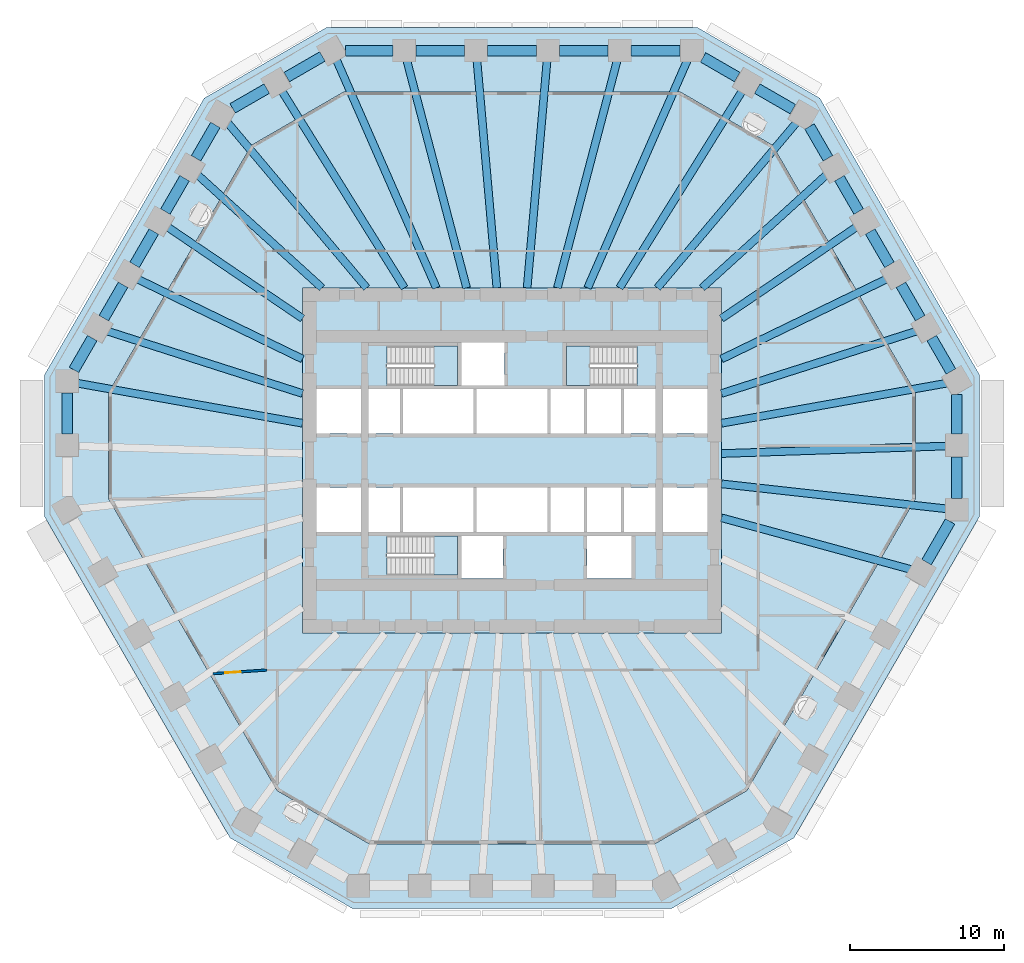
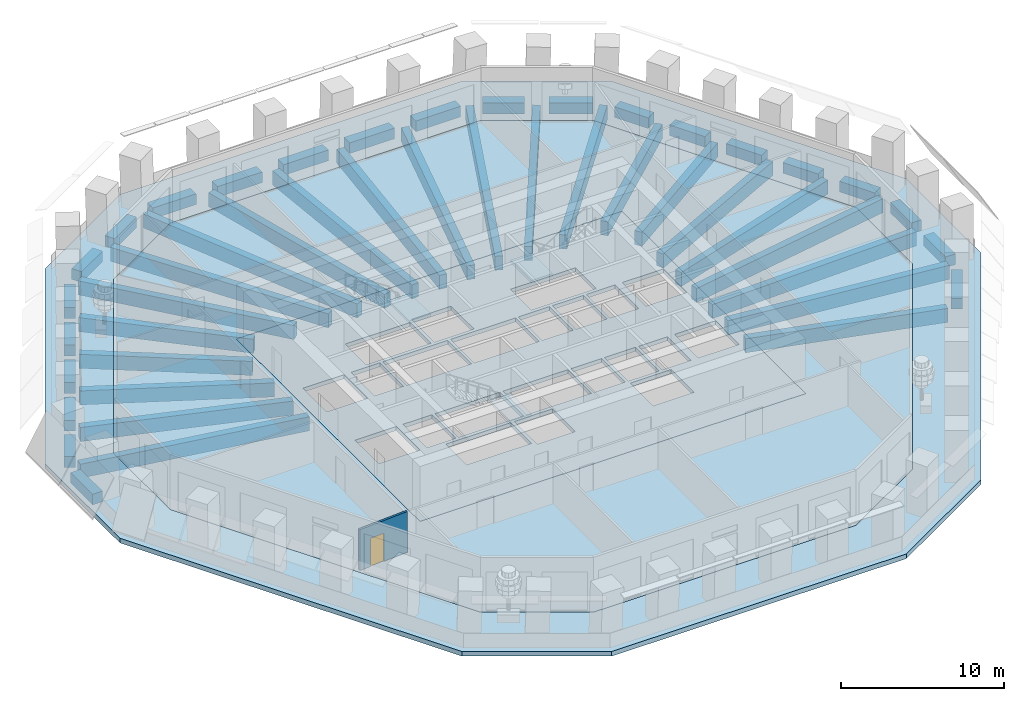
# One storey, part 2 of 12: 46 beams, 6 slabs, 1 door, 1 wall, 1 opening, 3 elements without a shape of their own.
"""IFC4 building model written with IfcOpenShell, lengths in metres."""

from ifc_helpers import new_model, si_unit, direction, frame, frame_2d, origin, origin_2d, place, context, subcontext, project, spatial, polyline, rectangle, outline, extrude, material, layer, layer_set, material_profile, profile_set, type_object, element, fill, aggregate, save


model = new_model("IFC4")

# Units and contexts
model_context = context("Model", 3, precision=1e-05, world=origin(), true_north=direction((0.0, 1.0)))
body_context = subcontext(model_context, "Body", "Model", "MODEL_VIEW")
ifc_project = project(units=[si_unit("LENGTHUNIT", "METRE"), si_unit("AREAUNIT", "SQUARE_METRE"), si_unit("VOLUMEUNIT", "CUBIC_METRE"), si_unit("PLANEANGLEUNIT", "RADIAN"), si_unit("MASSUNIT", "GRAM", prefix="KILO")], contexts=[model_context])

# Site, building, storey
site_placement = place(None, origin())
site = spatial("IfcSite", under=ifc_project, at=site_placement, CompositionType="ELEMENT")
building_placement = place(site_placement, origin())
building = spatial("IfcBuilding", under=site, at=building_placement, Name="Frailejon Research Tower", CompositionType="ELEMENT")
storey_placement = place(building_placement, frame((0.0, 0.0, 45.39990234375)))
storey = spatial("IfcBuildingStorey", under=building, at=storey_placement, Name="L10", CompositionType="ELEMENT", Elevation=45.39990234375)

# Beams
ifc_material_1 = material(Name="Concrete C60/75", Category="concrete")
ifc_material_profile_1 = material_profile(ifc_material_1, rectangle(XDim=0.5, YDim=1.050048828125, at=origin_2d()), Name="Girder 500x1050")
ifc_profile_set_1 = profile_set([ifc_material_profile_1], Name="Concrete C60/75")
beam_type_1 = type_object("IfcBeamType", Name="Girder 500x1050", PredefinedType="BEAM", material=ifc_profile_set_1)
beam_1_placement = place(storey_placement, frame((28.37060546875, -3.15283203125, -0.824951171875), z_axis=(-0.993881121179, 0.110455044995, 0.0), x_axis=(-0.110455044995, -0.993881121179, 0.0)))
element("IfcBeam", 1, at=beam_1_placement, inside=storey, type_object=beam_type_1, Name="Girder 500x1050", PredefinedType="BEAM", context=body_context, shape_type="SweptSolid", body=[
    extrude(rectangle(XDim=0.5, YDim=1.050048828125, at=origin_2d()), origin(), (0.0, 0.0, 1.0), 14.811279296875),
])
beam_2_placement = place(storey_placement, frame((28.37158203125, 0.947998046875, -0.824951171875), z_axis=(-0.999442144201, -0.033397610623, 0.0), x_axis=(0.033397610623, -0.999442144201, 0.0)))
element("IfcBeam", 2, at=beam_2_placement, inside=storey, type_object=beam_type_1, Name="Girder 500x1050", PredefinedType="BEAM", context=body_context, shape_type="SweptSolid", body=[
    extrude(rectangle(XDim=0.5, YDim=1.050048828125, at=origin_2d()), origin(), (0.0, 0.0, 1.0), 14.72998046875),
])
beam_3_placement = place(storey_placement, frame((28.333984375, 5.0419921875, -0.824951171875), z_axis=(-0.984533219342, -0.175198002305, 0.0), x_axis=(0.175198002305, -0.984533219342, 0.0)))
element("IfcBeam", 3, at=beam_3_placement, inside=storey, type_object=beam_type_1, Name="Girder 500x1050", PredefinedType="BEAM", context=body_context, shape_type="SweptSolid", body=[
    extrude(rectangle(XDim=0.5, YDim=1.050048828125, at=origin_2d()), origin(), (0.0, 0.0, 1.0), 14.914794921875),
])
beam_4_placement = place(storey_placement, frame((26.37939453125, 8.438720703125, -0.824951171875), z_axis=(-0.952454897097, -0.304679616967, 0.0), x_axis=(0.304679616967, -0.952454897097, 0.0)))
element("IfcBeam", 4, at=beam_4_placement, inside=storey, type_object=beam_type_1, Name="Girder 500x1050", PredefinedType="BEAM", context=body_context, shape_type="SweptSolid", body=[
    extrude(rectangle(XDim=0.5, YDim=1.050048828125, at=origin_2d()), origin(), (0.0, 0.0, 1.0), 13.364990234375),
])
beam_5_placement = place(storey_placement, frame((24.42138671875, 11.835693359375, -0.824951171875), z_axis=(-0.899890280569, -0.436116363987, 0.0), x_axis=(0.436116363987, -0.899890280569, 0.0)))
element("IfcBeam", 5, at=beam_5_placement, inside=storey, type_object=beam_type_1, Name="Girder 500x1050", PredefinedType="BEAM", context=body_context, shape_type="SweptSolid", body=[
    extrude(rectangle(XDim=0.5, YDim=1.050048828125, at=origin_2d()), origin(), (0.0, 0.0, 1.0), 11.9697265625),
])
beam_6_placement = place(storey_placement, frame((22.460693359375, 15.231689453125, -0.824951171875), z_axis=(-0.82764584465, -0.561250706756, 0.0), x_axis=(0.561250706756, -0.82764584465, 0.0)))
element("IfcBeam", 6, at=beam_6_placement, inside=storey, type_object=beam_type_1, Name="Girder 500x1050", PredefinedType="BEAM", context=body_context, shape_type="SweptSolid", body=[
    extrude(rectangle(XDim=0.5, YDim=1.050048828125, at=origin_2d()), origin(), (0.0, 0.0, 1.0), 10.6455078125),
])
beam_7_placement = place(storey_placement, frame((20.497802734375, 18.625732421875, -0.824951171875), z_axis=(-0.740100203496, -0.672496608753, 0.0), x_axis=(0.672496608753, -0.740100203496, 0.0)))
element("IfcBeam", 7, at=beam_7_placement, inside=storey, type_object=beam_type_1, Name="Girder 500x1050", PredefinedType="BEAM", context=body_context, shape_type="SweptSolid", body=[
    extrude(rectangle(XDim=0.5, YDim=1.050048828125, at=origin_2d()), origin(), (0.0, 0.0, 1.0), 10.9677734375),
])
beam_8_placement = place(storey_placement, frame((18.556640625, 22.04443359375, -0.824951171875), z_axis=(-0.643985474323, -0.76503771728, 0.0), x_axis=(0.76503771728, -0.643985474323, 0.0)))
element("IfcBeam", 8, at=beam_8_placement, inside=storey, type_object=beam_type_1, Name="Girder 500x1050", PredefinedType="BEAM", context=body_context, shape_type="SweptSolid", body=[
    extrude(rectangle(XDim=0.5, YDim=1.050048828125, at=origin_2d()), origin(), (0.0, 0.0, 1.0), 14.109619140625),
])
beam_9_placement = place(storey_placement, frame((15.006591796875, 24.096435546875, -0.824951171875), z_axis=(-0.528642457724, -0.848844598199, 0.0), x_axis=(0.848844598199, -0.528642457724, 0.0)))
element("IfcBeam", 9, at=beam_9_placement, inside=storey, type_object=beam_type_1, Name="Girder 500x1050", PredefinedType="BEAM", context=body_context, shape_type="SweptSolid", body=[
    extrude(rectangle(XDim=0.5, YDim=1.050048828125, at=origin_2d()), origin(), (0.0, 0.0, 1.0), 15.134033203125),
])
beam_10_placement = place(storey_placement, frame((11.42919921875, 26.08740234375, -0.824951171875), z_axis=(-0.401291578444, -0.915950363868, 0.0), x_axis=(0.915950363868, -0.401291578444, 0.0)))
element("IfcBeam", 10, at=beam_10_placement, inside=storey, type_object=beam_type_1, Name="Girder 500x1050", PredefinedType="BEAM", context=body_context, shape_type="SweptSolid", body=[
    extrude(rectangle(XDim=0.5, YDim=1.050048828125, at=origin_2d()), origin(), (0.0, 0.0, 1.0), 16.198974609375),
])
beam_11_placement = place(storey_placement, frame((6.859619140625, 26.09521484375, -0.824951171875), z_axis=(-0.254231798726, -0.967143315397, 0.0), x_axis=(0.967143315397, -0.254231798726, 0.0)))
element("IfcBeam", 11, at=beam_11_placement, inside=storey, type_object=beam_type_1, Name="Girder 500x1050", PredefinedType="BEAM", context=body_context, shape_type="SweptSolid", body=[
    extrude(rectangle(XDim=0.5, YDim=1.050048828125, at=origin_2d()), origin(), (0.0, 0.0, 1.0), 15.349609375),
])
for number, where, z_axis, x_axis, name in (
    (12, (2.286865234375, 26.099365234375, -0.824951171875), (-0.087296777871, -0.996182349057, 0.0), (0.996182349057, -0.087296777871, 0.0), "Girder 500x1050"),
    (13, (-2.286865234375, 26.099365234375, -0.824951171875), (0.087296777871, -0.996182349057, 0.0), (0.996182349057, 0.087296777871, 0.0), "Girder 500x1050"),
):
    element("IfcBeam", number, at=place(storey_placement, frame(where, z_axis=z_axis, x_axis=x_axis)), inside=storey, type_object=beam_type_1, Name=name, PredefinedType="BEAM", context=body_context, shape_type="SweptSolid", body=[
        extrude(rectangle(XDim=0.5, YDim=1.050048828125, at=origin_2d()), origin(), (0.0, 0.0, 1.0), 14.90625),
    ])
beam_12_placement = place(storey_placement, frame((-6.859619140625, 26.09521484375, -0.824951171875), z_axis=(0.254231798726, -0.967143315397, 0.0), x_axis=(0.967143315397, 0.254231798726, 0.0)))
element("IfcBeam", 14, at=beam_12_placement, inside=storey, type_object=beam_type_1, Name="Girder 500x1050", PredefinedType="BEAM", context=body_context, shape_type="SweptSolid", body=[
    extrude(rectangle(XDim=0.5, YDim=1.050048828125, at=origin_2d()), origin(), (0.0, 0.0, 1.0), 15.349609375),
])
beam_13_placement = place(storey_placement, frame((-11.454833984375, 26.146240234375, -0.824951171875), z_axis=(0.401284201697, -0.915953595696, 0.0), x_axis=(0.915953595696, 0.401284201697, 0.0)))
element("IfcBeam", 15, at=beam_13_placement, inside=storey, type_object=beam_type_1, Name="Girder 500x1050", PredefinedType="BEAM", context=body_context, shape_type="SweptSolid", body=[
    extrude(rectangle(XDim=0.5, YDim=1.050048828125, at=origin_2d()), origin(), (0.0, 0.0, 1.0), 16.26318359375),
])
beam_14_placement = place(storey_placement, frame((-15.006591796875, 24.096435546875, -0.824951171875), z_axis=(0.528642457724, -0.848844598199, 0.0), x_axis=(0.848844598199, 0.528642457724, 0.0)))
element("IfcBeam", 16, at=beam_14_placement, inside=storey, type_object=beam_type_1, Name="Girder 500x1050", PredefinedType="BEAM", context=body_context, shape_type="SweptSolid", body=[
    extrude(rectangle(XDim=0.5, YDim=1.050048828125, at=origin_2d()), origin(), (0.0, 0.0, 1.0), 15.134033203125),
])
beam_15_placement = place(storey_placement, frame((-18.533447265625, 22.016845703125, -0.824951171875), z_axis=(0.643986692311, -0.765036692013, 0.0), x_axis=(0.765036692013, 0.643986692311, 0.0)))
element("IfcBeam", 17, at=beam_15_placement, inside=storey, type_object=beam_type_1, Name="Girder 500x1050", PredefinedType="BEAM", context=body_context, shape_type="SweptSolid", body=[
    extrude(rectangle(XDim=0.5, YDim=1.050048828125, at=origin_2d()), origin(), (0.0, 0.0, 1.0), 14.07373046875),
])
beam_16_placement = place(storey_placement, frame((-20.497802734375, 18.625732421875, -0.824951171875), z_axis=(0.740100203496, -0.672496608753, 0.0), x_axis=(0.672496608753, 0.740100203496, 0.0)))
element("IfcBeam", 18, at=beam_16_placement, inside=storey, type_object=beam_type_1, Name="Girder 500x1050", PredefinedType="BEAM", context=body_context, shape_type="SweptSolid", body=[
    extrude(rectangle(XDim=0.5, YDim=1.050048828125, at=origin_2d()), origin(), (0.0, 0.0, 1.0), 10.9677734375),
])
beam_17_placement = place(storey_placement, frame((-22.460693359375, 15.231689453125, -0.824951171875), z_axis=(0.82764584465, -0.561250706756, 0.0), x_axis=(0.561250706756, 0.82764584465, 0.0)))
element("IfcBeam", 19, at=beam_17_placement, inside=storey, type_object=beam_type_1, Name="Girder 500x1050", PredefinedType="BEAM", context=body_context, shape_type="SweptSolid", body=[
    extrude(rectangle(XDim=0.5, YDim=1.050048828125, at=origin_2d()), origin(), (0.0, 0.0, 1.0), 10.6455078125),
])
beam_18_placement = place(storey_placement, frame((-24.42138671875, 11.835693359375, -0.824951171875), z_axis=(0.899890280569, -0.436116363987, 0.0), x_axis=(0.436116363987, 0.899890280569, 0.0)))
element("IfcBeam", 20, at=beam_18_placement, inside=storey, type_object=beam_type_1, Name="Girder 500x1050", PredefinedType="BEAM", context=body_context, shape_type="SweptSolid", body=[
    extrude(rectangle(XDim=0.5, YDim=1.050048828125, at=origin_2d()), origin(), (0.0, 0.0, 1.0), 11.9697265625),
])
beam_19_placement = place(storey_placement, frame((-26.37939453125, 8.438720703125, -0.824951171875), z_axis=(0.952454897097, -0.304679616967, 0.0), x_axis=(0.304679616967, 0.952454897097, 0.0)))
element("IfcBeam", 21, at=beam_19_placement, inside=storey, type_object=beam_type_1, Name="Girder 500x1050", PredefinedType="BEAM", context=body_context, shape_type="SweptSolid", body=[
    extrude(rectangle(XDim=0.5, YDim=1.050048828125, at=origin_2d()), origin(), (0.0, 0.0, 1.0), 13.364990234375),
])
beam_20_placement = place(storey_placement, frame((-28.369384765625, 5.04833984375, -0.824951171875), z_axis=(0.984532663879, -0.175201123729, 0.0), x_axis=(0.175201123729, 0.984532663879, 0.0)))
element("IfcBeam", 22, at=beam_20_placement, inside=storey, type_object=beam_type_1, Name="Girder 500x1050", PredefinedType="BEAM", context=body_context, shape_type="SweptSolid", body=[
    extrude(rectangle(XDim=0.5, YDim=1.050048828125, at=origin_2d()), origin(), (0.0, 0.0, 1.0), 14.95068359375),
])
beam_21_placement = place(storey_placement, frame((26.02880859375, -7.10693359375, -0.824951171875), z_axis=(-0.964688263389, 0.263394294698, 0.0), x_axis=(-0.263394294698, -0.964688263389, 0.0)))
element("IfcBeam", 23, at=beam_21_placement, inside=storey, type_object=beam_type_1, Name="Girder 500x1050", PredefinedType="BEAM", context=body_context, shape_type="SweptSolid", body=[
    extrude(rectangle(XDim=0.5, YDim=1.050048828125, at=origin_2d()), origin(), (0.0, 0.0, 1.0), 12.83203125),
])
ifc_material_2 = material(Name="Concrete C60/75", Category="concrete")
ifc_material_profile_2 = material_profile(ifc_material_2, rectangle(XDim=0.699951171875, YDim=0.800048828125, at=origin_2d()), Name="Spandrel 700x800")
ifc_profile_set_2 = profile_set([ifc_material_profile_2], Name="Concrete C60/75")
beam_type_2 = type_object("IfcBeamType", Name="Spandrel 700x800", PredefinedType="BEAM", material=ifc_profile_set_2)
beam_22_placement = place(storey_placement, frame((28.9716796875, -2.469482421875, -0.75), z_axis=(0.0, 1.0, 0.0), x_axis=(-1.0, 0.0, 0.0)))
element("IfcBeam", 24, at=beam_22_placement, inside=storey, type_object=beam_type_2, Name="Spandrel 700x800", PredefinedType="BEAM", context=body_context, shape_type="SweptSolid", body=[
    extrude(rectangle(XDim=0.699951171875, YDim=0.800048828125, at=origin_2d()), origin(), (0.0, 0.0, 1.0), 2.6875),
])
beam_23_placement = place(storey_placement, frame((28.9716796875, 1.718017578125, -0.75), z_axis=(0.0, 1.0, 0.0), x_axis=(-1.0, 0.0, 0.0)))
element("IfcBeam", 25, at=beam_23_placement, inside=storey, type_object=beam_type_2, Name="Spandrel 700x800", PredefinedType="BEAM", context=body_context, shape_type="SweptSolid", body=[
    extrude(rectangle(XDim=0.699951171875, YDim=0.800048828125, at=origin_2d()), origin(), (0.0, 0.0, 1.0), 2.571533203125),
])
beam_24_placement = place(storey_placement, frame((28.5966796875, 5.804931640625, -0.75), z_axis=(-0.500053817454, 0.865994330033, 0.0), x_axis=(-0.865994330033, -0.500053817454, 0.0)))
element("IfcBeam", 26, at=beam_24_placement, inside=storey, type_object=beam_type_2, Name="Spandrel 700x800", PredefinedType="BEAM", context=body_context, shape_type="SweptSolid", body=[
    extrude(rectangle(XDim=0.699951171875, YDim=0.800048828125, at=origin_2d()), origin(), (0.0, 0.0, 1.0), 2.508544921875),
])
for number, where, z_axis, x_axis, name in (
    (27, (26.59228515625, 9.2763671875, -0.75), (-0.499980823911, 0.866036474822, 0.0), (-0.866036474822, -0.499980823911, 0.0), "Spandrel 700x800"),
    (28, (24.588134765625, 12.747802734375, -0.75), (-0.499980823911, 0.866036474822, 0.0), (-0.866036474822, -0.499980823911, 0.0), "Spandrel 700x800"),
    (29, (22.583984375, 16.21923828125, -0.75), (-0.499980823911, 0.866036474822, 0.0), (-0.866036474822, -0.499980823911, 0.0), "Spandrel 700x800"),
):
    element("IfcBeam", number, at=place(storey_placement, frame(where, z_axis=z_axis, x_axis=x_axis)), inside=storey, type_object=beam_type_2, Name=name, PredefinedType="BEAM", context=body_context, shape_type="SweptSolid", body=[
        extrude(rectangle(XDim=0.699951171875, YDim=0.800048828125, at=origin_2d()), origin(), (0.0, 0.0, 1.0), 2.50830078125),
    ])
beam_25_placement = place(storey_placement, frame((20.579833984375, 19.6904296875, -0.75), z_axis=(-0.500002163175, 0.866024154871, 0.0), x_axis=(-0.866024154871, -0.500002163175, 0.0)))
element("IfcBeam", 30, at=beam_25_placement, inside=storey, type_object=beam_type_2, Name="Spandrel 700x800", PredefinedType="BEAM", context=body_context, shape_type="SweptSolid", body=[
    extrude(rectangle(XDim=0.699951171875, YDim=0.800048828125, at=origin_2d()), origin(), (0.0, 0.0, 1.0), 2.392578125),
])
beam_26_placement = place(storey_placement, frame((18.301025390625, 22.887451171875, -0.75), z_axis=(-0.866020687897, 0.500008168067, 0.0), x_axis=(-0.500008168067, -0.866020687897, 0.0)))
element("IfcBeam", 31, at=beam_26_placement, inside=storey, type_object=beam_type_2, Name="Spandrel 700x800", PredefinedType="BEAM", context=body_context, shape_type="SweptSolid", body=[
    extrude(rectangle(XDim=0.699951171875, YDim=0.800048828125, at=origin_2d()), origin(), (0.0, 0.0, 1.0), 2.6875),
])
beam_27_placement = place(storey_placement, frame((14.674560546875, 24.981201171875, -0.75), z_axis=(-0.866008514048, 0.50002925274, 0.0), x_axis=(-0.50002925274, -0.866008514048, 0.0)))
element("IfcBeam", 32, at=beam_27_placement, inside=storey, type_object=beam_type_2, Name="Spandrel 700x800", PredefinedType="BEAM", context=body_context, shape_type="SweptSolid", body=[
    extrude(rectangle(XDim=0.699951171875, YDim=0.800048828125, at=origin_2d()), origin(), (0.0, 0.0, 1.0), 2.571533203125),
])
for number, where, z_axis, x_axis, name in (
    (33, (10.947509765625, 26.699951171875, -0.75), (-1.0, 0.0, 0.0), (0.0, -1.0, 0.0), "Spandrel 700x800"),
    (34, (6.2685546875, 26.699951171875, -0.75), (-1.0, 0.0, 0.0), (0.0, -1.0, 0.0), "Spandrel 700x800"),
):
    element("IfcBeam", number, at=place(storey_placement, frame(where, z_axis=z_axis, x_axis=x_axis)), inside=storey, type_object=beam_type_2, Name=name, PredefinedType="BEAM", context=body_context, shape_type="SweptSolid", body=[
        extrude(rectangle(XDim=0.699951171875, YDim=0.800048828125, at=origin_2d()), origin(), (0.0, 0.0, 1.0), 3.178955078125),
    ])
beam_28_placement = place(storey_placement, frame((1.589599609375, 26.699951171875, -0.75), z_axis=(-1.0, 0.0, 0.0), x_axis=(0.0, -1.0, 0.0)))
element("IfcBeam", 35, at=beam_28_placement, inside=storey, type_object=beam_type_2, Name="Spandrel 700x800", PredefinedType="BEAM", context=body_context, shape_type="SweptSolid", body=[
    extrude(rectangle(XDim=0.699951171875, YDim=0.800048828125, at=origin_2d()), origin(), (0.0, 0.0, 1.0), 3.17919921875),
])
beam_29_placement = place(storey_placement, frame((-3.089599609375, 26.699951171875, -0.75), z_axis=(-1.0, 0.0, 0.0), x_axis=(0.0, -1.0, 0.0)))
element("IfcBeam", 36, at=beam_29_placement, inside=storey, type_object=beam_type_2, Name="Spandrel 700x800", PredefinedType="BEAM", context=body_context, shape_type="SweptSolid", body=[
    extrude(rectangle(XDim=0.699951171875, YDim=0.800048828125, at=origin_2d()), origin(), (0.0, 0.0, 1.0), 3.178955078125),
])
beam_30_placement = place(storey_placement, frame((-7.7685546875, 26.699951171875, -0.75), z_axis=(-1.0, 0.0, 0.0), x_axis=(0.0, -1.0, 0.0)))
element("IfcBeam", 37, at=beam_30_placement, inside=storey, type_object=beam_type_2, Name="Spandrel 700x800", PredefinedType="BEAM", context=body_context, shape_type="SweptSolid", body=[
    extrude(rectangle(XDim=0.699951171875, YDim=0.800048828125, at=origin_2d()), origin(), (0.0, 0.0, 1.0), 3.06298828125),
])
beam_31_placement = place(storey_placement, frame((-12.346923828125, 26.324951171875, -0.75), z_axis=(-0.866043397086, -0.499968833392, 0.0), x_axis=(0.499968833392, -0.866043397086, 0.0)))
element("IfcBeam", 38, at=beam_31_placement, inside=storey, type_object=beam_type_2, Name="Spandrel 700x800", PredefinedType="BEAM", context=body_context, shape_type="SweptSolid", body=[
    extrude(rectangle(XDim=0.699951171875, YDim=0.800048828125, at=origin_2d()), origin(), (0.0, 0.0, 1.0), 2.687744140625),
])
beam_32_placement = place(storey_placement, frame((-15.9736328125, 24.231201171875, -0.75), z_axis=(-0.866008514048, -0.50002925274, 0.0), x_axis=(0.50002925274, -0.866008514048, 0.0)))
element("IfcBeam", 39, at=beam_32_placement, inside=storey, type_object=beam_type_2, Name="Spandrel 700x800", PredefinedType="BEAM", context=body_context, shape_type="SweptSolid", body=[
    extrude(rectangle(XDim=0.699951171875, YDim=0.800048828125, at=origin_2d()), origin(), (0.0, 0.0, 1.0), 2.571533203125),
])
for number, where, z_axis, x_axis, name in (
    (40, (-19.32568359375, 21.86279296875, -0.75), (-0.499980823911, -0.866036474822, 0.0), (0.866036474822, -0.499980823911, 0.0), "Spandrel 700x800"),
    (41, (-21.329833984375, 18.3916015625, -0.75), (-0.499980823911, -0.866036474822, 0.0), (0.866036474822, -0.499980823911, 0.0), "Spandrel 700x800"),
    (42, (-23.333984375, 14.920166015625, -0.75), (-0.499980823911, -0.866036474822, 0.0), (0.866036474822, -0.499980823911, 0.0), "Spandrel 700x800"),
    (43, (-25.338134765625, 11.44873046875, -0.75), (-0.499980823911, -0.866036474822, 0.0), (0.866036474822, -0.499980823911, 0.0), "Spandrel 700x800"),
):
    element("IfcBeam", number, at=place(storey_placement, frame(where, z_axis=z_axis, x_axis=x_axis)), inside=storey, type_object=beam_type_2, Name=name, PredefinedType="BEAM", context=body_context, shape_type="SweptSolid", body=[
        extrude(rectangle(XDim=0.699951171875, YDim=0.800048828125, at=origin_2d()), origin(), (0.0, 0.0, 1.0), 2.50830078125),
    ])
beam_33_placement = place(storey_placement, frame((-27.34228515625, 7.977294921875, -0.75), z_axis=(-0.500046351717, -0.865998640954, 0.0), x_axis=(0.865998640954, -0.500046351717, 0.0)))
element("IfcBeam", 44, at=beam_33_placement, inside=storey, type_object=beam_type_2, Name="Spandrel 700x800", PredefinedType="BEAM", context=body_context, shape_type="SweptSolid", body=[
    extrude(rectangle(XDim=0.699951171875, YDim=0.800048828125, at=origin_2d()), origin(), (0.0, 0.0, 1.0), 2.392333984375),
])
beam_34_placement = place(storey_placement, frame((-28.9716796875, 4.405517578125, -0.75), z_axis=(0.0, -1.0, 0.0), x_axis=(1.0, 0.0, 0.0)))
element("IfcBeam", 45, at=beam_34_placement, inside=storey, type_object=beam_type_2, Name="Spandrel 700x800", PredefinedType="BEAM", context=body_context, shape_type="SweptSolid", body=[
    extrude(rectangle(XDim=0.699951171875, YDim=0.800048828125, at=origin_2d()), origin(), (0.0, 0.0, 1.0), 2.6875),
])
beam_35_placement = place(storey_placement, frame((27.007080078125, -6.622314453125, -0.75), z_axis=(0.499970827278, 0.866042246008, 0.0), x_axis=(-0.866042246008, 0.499970827278, 0.0)))
element("IfcBeam", 46, at=beam_35_placement, inside=storey, type_object=beam_type_2, Name="Spandrel 700x800", PredefinedType="BEAM", context=body_context, shape_type="SweptSolid", body=[
    extrude(rectangle(XDim=0.699951171875, YDim=0.800048828125, at=origin_2d()), origin(), (0.0, 0.0, 1.0), 3.063232421875),
])

# Slabs
ifc_material_3 = material(Name="Concrete C70/85", Category="concrete")
ifc_layer_1 = layer(ifc_material_3, 0.300048828125)
ifc_layer_set_1 = layer_set([ifc_layer_1], Name="Core floor slab 300 C70/85")
slab_type_1 = type_object("IfcSlabType", Name="Core floor slab 300 C70/85", PredefinedType="FLOOR", material=ifc_layer_set_1)
slab_1_placement = place(storey_placement, frame((0.0, 0.0, -0.2998046875)))
element("IfcSlab", 47, at=slab_1_placement, inside=storey, type_object=slab_type_1, Name="Core floor slab", PredefinedType="FLOOR", context=body_context, shape_type="SweptSolid", body=[
    extrude(outline(polyline([(13.64990234375, -11.25), (13.64990234375, 11.25), (-13.64990234375, 11.25), (-13.64990234375, -11.25), (13.64990234375, -11.25)]), holes=[polyline([(-9.85009765625, 1.75), (-9.85009765625, 4.64990234375), (-12.75, 4.64990234375), (-12.75, 1.75), (-9.85009765625, 1.75)]), polyline([(-7.300048828125, 1.75), (-7.300048828125, 4.64990234375), (-9.35009765625, 4.64990234375), (-9.35009765625, 1.75), (-7.300048828125, 1.75)]), polyline([(-2.5, 1.75), (-2.5, 4.64990234375), (-7.10009765625, 4.64990234375), (-7.10009765625, 1.75), (-2.5, 1.75)]), polyline([(2.300048828125, 1.75), (2.300048828125, 4.64990234375), (-2.300048828125, 4.64990234375), (-2.300048828125, 1.75), (2.300048828125, 1.75)]), polyline([(4.699951171875, 1.75), (4.699951171875, 4.64990234375), (2.5, 4.64990234375), (2.5, 1.75), (4.699951171875, 1.75)]), polyline([(7.10009765625, 1.75), (7.10009765625, 4.64990234375), (4.89990234375, 4.64990234375), (4.89990234375, 1.75), (7.10009765625, 1.75)]), polyline([(9.35009765625, 1.75), (9.35009765625, 4.64990234375), (7.300048828125, 4.64990234375), (7.300048828125, 1.75), (9.35009765625, 1.75)]), polyline([(12.75, 1.75), (12.75, 4.64990234375), (9.85009765625, 4.64990234375), (9.85009765625, 1.75), (12.75, 1.75)]), polyline([(-9.85009765625, -4.64990234375), (-9.85009765625, -1.75), (-12.75, -1.75), (-12.75, -4.64990234375), (-9.85009765625, -4.64990234375)]), polyline([(-7.300048828125, -4.64990234375), (-7.300048828125, -1.75), (-9.35009765625, -1.75), (-9.35009765625, -4.64990234375), (-7.300048828125, -4.64990234375)]), polyline([(-2.5, -4.64990234375), (-2.5, -1.75), (-7.10009765625, -1.75), (-7.10009765625, -4.64990234375), (-2.5, -4.64990234375)]), polyline([(2.300048828125, -4.64990234375), (2.300048828125, -1.75), (-2.300048828125, -1.75), (-2.300048828125, -4.64990234375), (2.300048828125, -4.64990234375)]), polyline([(4.699951171875, -4.64990234375), (4.699951171875, -1.75), (2.5, -1.75), (2.5, -4.64990234375), (4.699951171875, -4.64990234375)]), polyline([(7.10009765625, -4.64990234375), (7.10009765625, -1.75), (4.89990234375, -1.75), (4.89990234375, -4.64990234375), (7.10009765625, -4.64990234375)]), polyline([(9.35009765625, -4.64990234375), (9.35009765625, -1.75), (7.300048828125, -1.75), (7.300048828125, -4.64990234375), (9.35009765625, -4.64990234375)]), polyline([(12.75, -4.64990234375), (12.75, -1.75), (9.85009765625, -1.75), (9.85009765625, -4.64990234375), (12.75, -4.64990234375)]), polyline([(-8.14697265625, 4.89990234375), (-3.550048828125, 4.89990234375), (-3.550048828125, 7.449951171875), (-8.14697265625, 7.449951171875), (-8.14697265625, 4.89990234375)]), polyline([(-8.14697265625, -7.449951171875), (-3.550048828125, -7.449951171875), (-3.550048828125, -4.89990234375), (-8.14697265625, -4.89990234375), (-8.14697265625, -7.449951171875)]), polyline([(8.14697265625, 7.449951171875), (3.550048828125, 7.449951171875), (3.550048828125, 4.89990234375), (8.14697265625, 4.89990234375), (8.14697265625, 7.449951171875)]), polyline([(-0.60009765625, -7.699951171875), (-0.60009765625, -4.89990234375), (-3.300048828125, -4.89990234375), (-3.300048828125, -7.699951171875), (-0.60009765625, -7.699951171875)]), polyline([(7.800048828125, -7.699951171875), (7.800048828125, -4.89990234375), (4.89990234375, -4.89990234375), (4.89990234375, -7.699951171875), (7.800048828125, -7.699951171875)]), polyline([(-0.5, 4.89990234375), (-0.5, 7.699951171875), (-3.300048828125, 7.699951171875), (-3.300048828125, 4.89990234375), (-0.5, 4.89990234375)])]), origin(), (0.0, 0.0, 1.0), 0.2998046875),
])
ifc_material_4 = material(Name="Concrete C40/50", Category="concrete")
ifc_layer_2 = layer(ifc_material_4, 0.35009765625)
ifc_layer_set_2 = layer_set([ifc_layer_2], Name="Loggia slab 350")
slab_type_2 = type_object("IfcSlabType", Name="Loggia slab 350", PredefinedType="USERDEFINED", material=ifc_layer_set_2)
slab_2_placement = place(storey_placement, frame((0.0, 0.0, -0.349853515625)))
element("IfcSlab", 48, at=slab_2_placement, inside=storey, type_object=slab_type_2, Name="Loggia slab L10", ObjectType="LOGGIA", PredefinedType="USERDEFINED", context=body_context, shape_type="SweptSolid", body=[
    extrude(outline(polyline([(18.372314453125, -24.578369140625), (10.423095703125, -29.16796875), (-10.423095703125, -29.16796875), (-18.372314453125, -24.578369140625), (-30.4716796875, -3.62158203125), (-30.4716796875, 5.557373046875), (-20.048583984375, 23.610595703125), (-12.099609375, 28.199951171875), (12.099609375, 28.199951171875), (20.048583984375, 23.610595703125), (30.4716796875, 5.557373046875), (30.4716796875, -3.62158203125), (18.372314453125, -24.578369140625)]), holes=[polyline([(26.271484375, 4.431884765625), (16.97412109375, 20.535888671875), (10.97412109375, 24.0), (-10.97412109375, 24.0), (-16.97412109375, 20.535888671875), (-26.271484375, 4.431884765625), (-26.271484375, -2.49609375), (-15.297607421875, -21.50390625), (-9.297607421875, -24.968017578125), (9.297607421875, -24.968017578125), (15.297607421875, -21.50390625), (26.271484375, -2.49609375), (26.271484375, 4.431884765625)])]), origin(), (0.0, 0.0, 1.0), 0.349853515625),
])
ifc_material_5 = material(Name="Concrete C40/50", Category="concrete")
ifc_layer_3 = layer(ifc_material_5, 0.300048828125)
ifc_layer_set_3 = layer_set([ifc_layer_3], Name="Slab typical 300")
slab_type_3 = type_object("IfcSlabType", Name="Slab typical 300", PredefinedType="FLOOR", material=ifc_layer_set_3)
slab_3_placement = place(storey_placement, frame((0.0, 0.0, -0.2998046875)))
element("IfcSlab", 49, at=slab_3_placement, inside=storey, type_object=slab_type_3, Name="Floor slab L10", PredefinedType="FLOOR", context=body_context, shape_type="SweptSolid", body=[
    extrude(outline(polyline([(26.271484375, -2.49609375), (26.271484375, 4.431884765625), (16.97412109375, 20.535888671875), (10.97412109375, 24.0), (-10.97412109375, 24.0), (-16.97412109375, 20.535888671875), (-26.271484375, 4.431884765625), (-26.271484375, -2.49609375), (-15.297607421875, -21.50390625), (-9.297607421875, -24.968017578125), (9.297607421875, -24.968017578125), (15.297607421875, -21.50390625), (26.271484375, -2.49609375)]), holes=[polyline([(13.64990234375, -11.25), (-13.64990234375, -11.25), (-13.64990234375, 11.25), (13.64990234375, 11.25), (13.64990234375, -11.25)])]), origin(), (0.0, 0.0, 1.0), 0.2998046875),
])

# Stair, slab
ifc_material_6 = material(Name="Concrete C50/60", Category="concrete")
stair_type = type_object("IfcStairType", Name="Exit stair 24 risers", PredefinedType="HALF_TURN_STAIR", material=ifc_material_6)
stair_1_placement = place(storey_placement, origin())
stair_1 = element("IfcStair", 50, at=stair_1_placement, inside=storey, type_object=stair_type, Name="L10 Exit stair ST1", PredefinedType="HALF_TURN_STAIR")
ifc_material_7 = material(Name="Concrete C50/60", Category="concrete")
ifc_layer_4 = layer(ifc_material_7, 0.199951171875)
ifc_layer_set_4 = layer_set([ifc_layer_4], Name="Stair landing slab 200")
slab_type_4 = type_object("IfcSlabType", Name="Stair landing slab 200", PredefinedType="LANDING", material=ifc_layer_set_4)
slab_4_placement = place(storey_placement, frame((0.0, 0.0, 2.0)))
slab_4 = element("IfcSlab", 51, at=slab_4_placement, type_object=slab_type_4, Name="ST1 landing 1", PredefinedType="LANDING", context=body_context, shape_type="SweptSolid", body=[
    extrude(outline(polyline([(-5.070068359375, 4.89990234375), (-3.550048828125, 4.89990234375), (-3.550048828125, 7.449951171875), (-5.070068359375, 7.449951171875), (-5.070068359375, 4.89990234375)])), origin(), (0.0, 0.0, 1.0), 0.2001953125),
])
aggregate(stair_1, [slab_4])

stair_2_placement = place(storey_placement, origin())
stair_2 = element("IfcStair", 52, at=stair_2_placement, inside=storey, type_object=stair_type, Name="L10 Exit stair ST2", PredefinedType="HALF_TURN_STAIR")
slab_5_placement = place(storey_placement, frame((0.0, 0.0, 2.0)))
slab_5 = element("IfcSlab", 53, at=slab_5_placement, type_object=slab_type_4, Name="ST2 landing 1", PredefinedType="LANDING", context=body_context, shape_type="SweptSolid", body=[
    extrude(outline(polyline([(-5.070068359375, -7.449951171875), (-3.550048828125, -7.449951171875), (-3.550048828125, -4.89990234375), (-5.070068359375, -4.89990234375), (-5.070068359375, -7.449951171875)])), origin(), (0.0, 0.0, 1.0), 0.2001953125),
])
aggregate(stair_2, [slab_5])

stair_3_placement = place(storey_placement, origin())
stair_3 = element("IfcStair", 54, at=stair_3_placement, inside=storey, type_object=stair_type, Name="L10 Exit stair ST3", PredefinedType="HALF_TURN_STAIR")
slab_6_placement = place(storey_placement, frame((0.0, 0.0, 2.0)))
slab_6 = element("IfcSlab", 55, at=slab_6_placement, type_object=slab_type_4, Name="ST3 landing 1", PredefinedType="LANDING", context=body_context, shape_type="SweptSolid", body=[
    extrude(outline(polyline([(5.070068359375, 7.449951171875), (3.550048828125, 7.449951171875), (3.550048828125, 4.89990234375), (5.070068359375, 4.89990234375), (5.070068359375, 7.449951171875)])), origin(), (0.0, 0.0, 1.0), 0.2001953125),
])
aggregate(stair_3, [slab_6])

# Wall, opening, door
ifc_material_8 = material(Name="Gypsum board and masonry partition", Category="masonry")
ifc_layer_5 = layer(ifc_material_8, 0.14990234375)
ifc_layer_set_5 = layer_set([ifc_layer_5], Name="Laboratory partition, blockwork 150")
wall_type = type_object("IfcWallType", Name="Laboratory partition, blockwork 150", PredefinedType="PARTITIONING", material=ifc_layer_set_5)
wall_placement = place(storey_placement, frame((-19.465087890625, -13.885498046875, 0.0), z_axis=(0.0, 0.0, 1.0), x_axis=(0.997629667655, 0.068811672075, 0.0)))
wall = element("IfcWall", 56, at=wall_placement, inside=storey, type_object=wall_type, Name="T:IW:L10:014", PredefinedType="PARTITIONING", context=body_context, shape_type="SweptSolid", body=[
    extrude(rectangle(XDim=3.498291015625, YDim=0.14990234375, at=frame_2d((1.7490234375, 0.0))), origin(), (0.0, 0.0, 1.0), 3.050048828125),
])
opening_placement = place(wall_placement, frame((0.78076171875, 0.0, 0.0)))
opening = element("IfcOpeningElement", 57, at=opening_placement, cuts=wall, Name="Opening D1397", PredefinedType="OPENING", context=body_context, shape_type="SweptSolid", body=[
    extrude(rectangle(XDim=1.0, YDim=2.10009765625, at=frame_2d((0.5, 1.050048828125))), frame((0.0, 0.0849609375, 0.0), z_axis=(0.0, -1.0, 0.0), x_axis=(1.0, 0.0, 0.0)), (0.0, 0.0, 1.0), 0.169921875),
])
ifc_material_9 = material(Name="Timber door leaf", Category="wood")
door_type = type_object("IfcDoorType", Name="Door single leaf, timber, steel frame 1000", OperationType="NOTDEFINED", PredefinedType="DOOR", material=ifc_material_9)
door_placement = place(opening_placement, origin())
door = element("IfcDoor", 58, at=door_placement, inside=storey, type_object=door_type, Name="D1397", OperationType="SINGLE_SWING_RIGHT", OverallHeight=2.10009765625, OverallWidth=1.0, PredefinedType="DOOR", context=body_context, shape_type="SweptSolid", body=[
    extrude(rectangle(XDim=1.0, YDim=2.10009765625, at=frame_2d((0.5, 1.050048828125))), frame((0.0, 0.02490234375, 0.0), z_axis=(0.0, -1.0, 0.0), x_axis=(1.0, 0.0, 0.0)), (0.0, 0.0, 1.0), 0.050048828125),
])
fill(opening, door)

save(model, "model.ifc")
